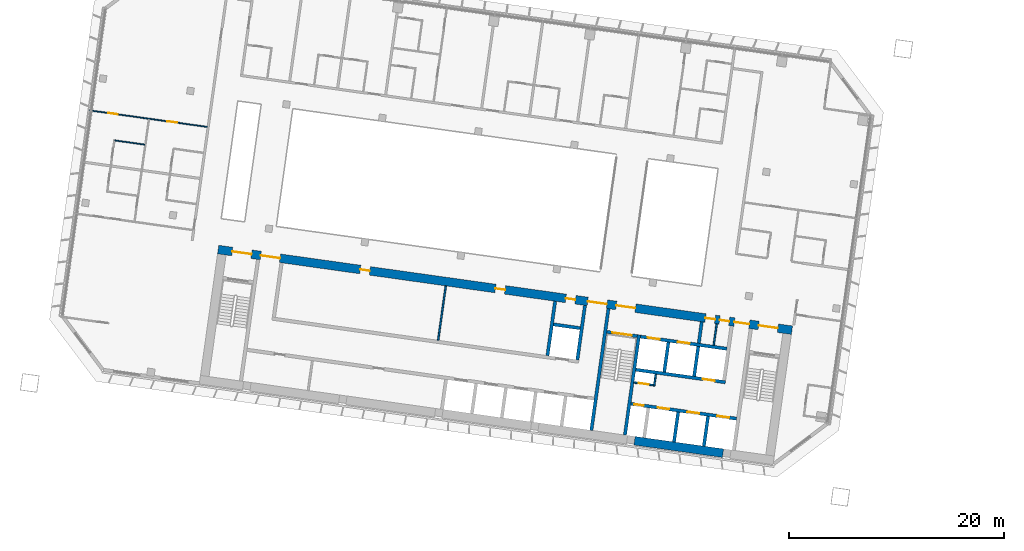
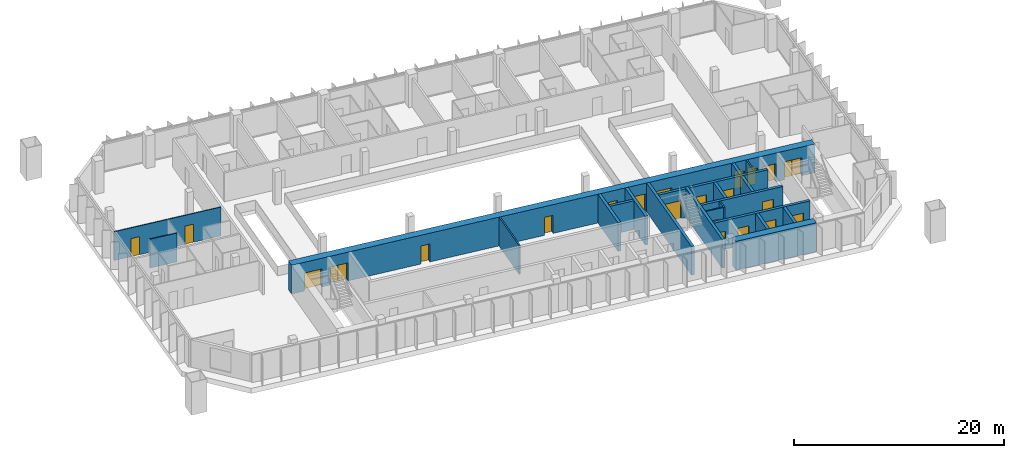
# One storey, part 15 of 25: 22 doors, 22 walls, 22 openings.
"""IFC4 building model written with IfcOpenShell, lengths in metres."""

from ifc_helpers import new_model, si_unit, direction, frame, frame_2d, origin, place, context, subcontext, project, spatial, rectangle, extrude, material, layer, layer_set, type_object, element, fill, save


model = new_model("IFC4")

# Units and contexts
model_context = context("Model", 3, precision=1e-05, world=origin(), true_north=direction((0.0, 1.0)))
body_context = subcontext(model_context, "Body", "Model", "MODEL_VIEW")
ifc_project = project(units=[si_unit("LENGTHUNIT", "METRE"), si_unit("AREAUNIT", "SQUARE_METRE"), si_unit("VOLUMEUNIT", "CUBIC_METRE"), si_unit("PLANEANGLEUNIT", "RADIAN"), si_unit("MASSUNIT", "GRAM", prefix="KILO")], contexts=[model_context])

# Site, building, storey
site_placement = place(None, origin())
site = spatial("IfcSite", under=ifc_project, at=site_placement, CompositionType="ELEMENT")
building_placement = place(site_placement, origin())
building = spatial("IfcBuilding", under=site, at=building_placement, Name="Mirante Cascada Hotel Towers", CompositionType="ELEMENT")
storey_placement = place(building_placement, frame((0.0, 0.0, 102.5)))
storey = spatial("IfcBuildingStorey", under=building, at=storey_placement, Name="L22", CompositionType="ELEMENT", Elevation=102.5)

# Wall
ifc_material_1 = material(Name="Masonry block", Category="masonry")
ifc_layer_1 = layer(ifc_material_1, 0.15)
ifc_layer_set_1 = layer_set([ifc_layer_1], Name="Core room partition 150 block EI 30")
wall_type_1 = type_object("IfcWallType", Name="Core room partition 150 block EI 30", PredefinedType="PARTITIONING", material=ifc_layer_set_1)
wall_1_placement = place(storey_placement, frame((-48.2295, -12.793, 0.0), z_axis=(0.0, 0.0, 1.0), x_axis=(0.1391935, 0.9902652, 0.0)))
element("IfcWall", 1, at=wall_1_placement, inside=storey, type_object=wall_type_1, Name="Core wall partition T1 L22 2", PredefinedType="PARTITIONING", context=body_context, shape_type="SweptSolid", body=[
    extrude(rectangle(XDim=1.1251, YDim=0.15, at=frame_2d((0.5626, 0.0))), origin(), (0.0, 0.0, 1.0), 3.35),
])

# Wall, opening, door
wall_2_placement = place(storey_placement, frame((-48.2933, -12.7083, 0.0), z_axis=(0.0, 0.0, 1.0), x_axis=(-0.990268, 0.1391734, 0.0)))
wall_2 = element("IfcWall", 2, at=wall_2_placement, inside=storey, type_object=wall_type_1, Name="Core wall partition T1 L22 3", PredefinedType="PARTITIONING", context=body_context, shape_type="SweptSolid", body=[
    extrude(rectangle(XDim=1.8251, YDim=0.15, at=frame_2d((0.9126, 0.0))), origin(), (0.0, 0.0, 1.0), 3.35),
])
opening_1_placement = place(wall_2_placement, frame((0.4625, 0.0, 0.0)))
opening_1 = element("IfcOpeningElement", 3, at=opening_1_placement, cuts=wall_2, Name="Opening D1-22-C23", PredefinedType="OPENING", context=body_context, shape_type="SweptSolid", body=[
    extrude(rectangle(XDim=0.9, YDim=2.1, at=frame_2d((0.45, 1.05))), frame((0.0, 0.075, 0.0), z_axis=(0.0, -1.0, 0.0), x_axis=(1.0, 0.0, 0.0)), (0.0, 0.0, 1.0), 0.15),
])
ifc_material_2 = material(Name="Hollow metal fire door leaf")
door_type_1 = type_object("IfcDoorType", Name="Fire door 900x2100 FD60", OperationType="NOTDEFINED", PredefinedType="DOOR", material=ifc_material_2)
door_1_placement = place(opening_1_placement, origin())
door_1 = element("IfcDoor", 4, at=door_1_placement, inside=storey, type_object=door_type_1, Name="Riser door T1 L22 23", OperationType="SINGLE_SWING_LEFT", OverallHeight=2.1, OverallWidth=0.9, PredefinedType="DOOR", context=body_context, shape_type="SweptSolid", body=[
    extrude(rectangle(XDim=0.9, YDim=2.1, at=frame_2d((0.45, 1.05))), frame((0.0, 0.025, 0.0), z_axis=(0.0, -1.0, 0.0), x_axis=(1.0, 0.0, 0.0)), (0.0, 0.0, 1.0), 0.05),
])
fill(opening_1, door_1)

# Walls
wall_3_placement = place(storey_placement, frame((-42.6979, -9.0009, 0.0), z_axis=(0.0, 0.0, 1.0), x_axis=(0.1391529, 0.9902709, 0.0)))
element("IfcWall", 5, at=wall_3_placement, inside=storey, type_object=wall_type_1, Name="Core wall partition T1 L22 4", PredefinedType="PARTITIONING", context=body_context, shape_type="SweptSolid", body=[
    extrude(rectangle(XDim=2.0, YDim=0.15, at=frame_2d((1.0, 0.0))), origin(), (0.0, 0.0, 1.0), 3.35),
])
wall_4_placement = place(storey_placement, frame((-68.2822, -8.5358, 0.0), z_axis=(0.0, 0.0, 1.0), x_axis=(0.1391755, 0.9902677, 0.0)))
element("IfcWall", 6, at=wall_4_placement, inside=storey, type_object=wall_type_1, Name="Core wall partition T1 L22 6", PredefinedType="PARTITIONING", context=body_context, shape_type="SweptSolid", body=[
    extrude(rectangle(XDim=5.1, YDim=0.15, at=frame_2d((2.55, 0.0))), origin(), (0.0, 0.0, 1.0), 3.35),
])
ifc_material_3 = material(Name="Masonry block", Category="masonry")
ifc_layer_2 = layer(ifc_material_3, 0.3)
ifc_layer_set_2 = layer_set([ifc_layer_2], Name="Core wall 300 block EI 120")
wall_type_2 = type_object("IfcWallType", Name="Core wall 300 block EI 120", PredefinedType="PARTITIONING", material=ifc_layer_set_2)
wall_5_placement = place(storey_placement, frame((-44.0843, -8.8061, 0.0), z_axis=(0.0, 0.0, 1.0), x_axis=(0.1391951, 0.990265, 0.0)))
element("IfcWall", 7, at=wall_5_placement, inside=storey, type_object=wall_type_2, Name="Core wall partition T1 L22 1", PredefinedType="PARTITIONING", context=body_context, shape_type="SweptSolid", body=[
    extrude(rectangle(XDim=2.0001, YDim=0.3, at=frame_2d((1.0001, 0.0))), origin(), (0.0, 0.0, 1.0), 3.35),
])
ifc_material_4 = material(Name="Plasterboard on metal studs")
ifc_layer_3 = layer(ifc_material_4, 0.1)
ifc_layer_set_3 = layer_set([ifc_layer_3], Name="Partition 100")
wall_type_3 = type_object("IfcWallType", Name="Partition 100", PredefinedType="PARTITIONING", material=ifc_layer_set_3)
wall_6_placement = place(storey_placement, frame((-95.5188, 9.6317, 0.0), z_axis=(0.0, 0.0, 1.0), x_axis=(-0.9902726, 0.139141, 0.0)))
element("IfcWall", 8, at=wall_6_placement, inside=storey, type_object=wall_type_3, Name="Wall 1-L22-15", PredefinedType="PARTITIONING", context=body_context, shape_type="SweptSolid", body=[
    extrude(rectangle(XDim=2.8, YDim=0.1, at=frame_2d((1.4, 0.0))), origin(), (0.0, 0.0, 1.0), 3.35),
])

# Wall, openings, doors
wall_7_placement = place(storey_placement, frame((-89.7337, 11.2758, 0.0), z_axis=(0.0, 0.0, 1.0), x_axis=(-0.990268, 0.1391733, 0.0)))
wall_7 = element("IfcWall", 9, at=wall_7_placement, inside=storey, type_object=wall_type_3, Name="Wall 1-L22-17", PredefinedType="PARTITIONING", context=body_context, shape_type="SweptSolid", body=[
    extrude(rectangle(XDim=11.0, YDim=0.1, at=frame_2d((5.5, 0.0))), origin(), (0.0, 0.0, 1.0), 3.35),
])
opening_2_placement = place(wall_7_placement, frame((2.825, 0.0, 0.0)))
opening_2 = element("IfcOpeningElement", 10, at=opening_2_placement, cuts=wall_7, Name="Opening D1-L22-07", PredefinedType="OPENING", context=body_context, shape_type="SweptSolid", body=[
    extrude(rectangle(XDim=0.9, YDim=2.1, at=frame_2d((0.45, 1.05))), frame((0.0, 0.05, 0.0), z_axis=(0.0, -1.0, 0.0), x_axis=(1.0, 0.0, 0.0)), (0.0, 0.0, 1.0), 0.1),
])
opening_3_placement = place(wall_7_placement, frame((8.375, 0.0, 0.0)))
opening_3 = element("IfcOpeningElement", 11, at=opening_3_placement, cuts=wall_7, Name="Opening D1-L22-08", PredefinedType="OPENING", context=body_context, shape_type="SweptSolid", body=[
    extrude(rectangle(XDim=0.9, YDim=2.1, at=frame_2d((0.45, 1.05))), frame((0.0, 0.05, 0.0), z_axis=(0.0, -1.0, 0.0), x_axis=(1.0, 0.0, 0.0)), (0.0, 0.0, 1.0), 0.1),
])
ifc_material_5 = material(Name="Timber door leaf", Category="wood")
door_type_2 = type_object("IfcDoorType", Name="Room door DG3 900x2100", OperationType="SINGLE_SWING_LEFT", PredefinedType="DOOR", material=ifc_material_5)
door_2_placement = place(opening_2_placement, frame((0.9, 0.0, 0.0), z_axis=(0.0, 0.0, 1.0), x_axis=(-1.0, 0.0, 0.0)))
door_2 = element("IfcDoor", 12, at=door_2_placement, inside=storey, type_object=door_type_2, Name="Door D1-L22-07", OperationType="SINGLE_SWING_RIGHT", OverallHeight=2.1, OverallWidth=0.9, PredefinedType="DOOR", context=body_context, shape_type="SweptSolid", body=[
    extrude(rectangle(XDim=0.9, YDim=2.1, at=frame_2d((0.45, 1.05))), frame((0.0, 0.025, 0.0), z_axis=(0.0, -1.0, 0.0), x_axis=(1.0, 0.0, 0.0)), (0.0, 0.0, 1.0), 0.05),
])
fill(opening_2, door_2)
door_3_placement = place(opening_3_placement, frame((0.9, 0.0, 0.0), z_axis=(0.0, 0.0, 1.0), x_axis=(-1.0, 0.0, 0.0)))
door_3 = element("IfcDoor", 13, at=door_3_placement, inside=storey, type_object=door_type_2, Name="Door D1-L22-08", OperationType="SINGLE_SWING_RIGHT", OverallHeight=2.1, OverallWidth=0.9, PredefinedType="DOOR", context=body_context, shape_type="SweptSolid", body=[
    extrude(rectangle(XDim=0.9, YDim=2.1, at=frame_2d((0.45, 1.05))), frame((0.0, 0.025, 0.0), z_axis=(0.0, -1.0, 0.0), x_axis=(1.0, 0.0, 0.0)), (0.0, 0.0, 1.0), 0.05),
])
fill(opening_3, door_3)

# Walls
ifc_material_6 = material(Name="Concrete C50/60", Category="concrete")
ifc_layer_4 = layer(ifc_material_6, 0.3)
ifc_layer_set_4 = layer_set([ifc_layer_4], Name="RC core wall 300 C50/60")
wall_type_4 = type_object("IfcWallType", Name="RC core wall 300 C50/60", PredefinedType="SHEAR", material=ifc_layer_set_4)
wall_8_placement = place(storey_placement, frame((-50.938, -17.3352, 0.0), z_axis=(0.0, 0.0, 1.0), x_axis=(0.1391706, 0.9902684, 0.0)))
element("IfcWall", 14, at=wall_8_placement, inside=storey, type_object=wall_type_4, Name="Core wall T1:L22:6", PredefinedType="SHEAR", context=body_context, shape_type="SweptSolid", body=[
    extrude(rectangle(XDim=9.4, YDim=0.3, at=frame_2d((4.7, 0.0))), origin(), (0.0, 0.0, 1.0), 3.35),
])
wall_9_placement = place(storey_placement, frame((-54.0574, -16.8968, 0.0), z_axis=(0.0, 0.0, 1.0), x_axis=(0.1391761, 0.9902677, 0.0)))
element("IfcWall", 15, at=wall_9_placement, inside=storey, type_object=wall_type_4, Name="Core wall T1:L22:7", PredefinedType="SHEAR", context=body_context, shape_type="SweptSolid", body=[
    extrude(rectangle(XDim=11.3999, YDim=0.3, at=frame_2d((5.7, 0.0))), origin(), (0.0, 0.0, 1.0), 3.35),
])

# Wall, opening, door
wall_10_placement = place(storey_placement, frame((-49.7992, -8.1544, 0.0), z_axis=(0.0, 0.0, 1.0), x_axis=(-0.9902656, 0.1391909, 0.0)))
wall_10 = element("IfcWall", 16, at=wall_10_placement, inside=storey, type_object=wall_type_4, Name="Core wall T1:L22:10", PredefinedType="SHEAR", context=body_context, shape_type="SweptSolid", body=[
    extrude(rectangle(XDim=2.85, YDim=0.3, at=frame_2d((1.425, 0.0))), origin(), (0.0, 0.0, 1.0), 3.35),
])
opening_4_placement = place(wall_10_placement, frame((0.525, 0.0, 0.0)))
opening_4 = element("IfcOpeningElement", 17, at=opening_4_placement, cuts=wall_10, Name="Opening D1-22-C15", PredefinedType="OPENING", context=body_context, shape_type="SweptSolid", body=[
    extrude(rectangle(XDim=1.8, YDim=2.1, at=frame_2d((0.9, 1.05))), frame((0.0, 0.15, 0.0), z_axis=(0.0, -1.0, 0.0), x_axis=(1.0, 0.0, 0.0)), (0.0, 0.0, 1.0), 0.3),
])
ifc_material_7 = material(Name="Hollow metal fire door leaf")
door_type_3 = type_object("IfcDoorType", Name="Double fire door 1800x2100 FD60", OperationType="DOUBLE_DOOR_SINGLE_SWING", PredefinedType="DOOR", material=ifc_material_7)
door_4_placement = place(opening_4_placement, origin())
door_4 = element("IfcDoor", 18, at=door_4_placement, inside=storey, type_object=door_type_3, Name="Stair door T1 L22 15", OperationType="DOUBLE_DOOR_SINGLE_SWING", OverallHeight=2.1, OverallWidth=1.8, PredefinedType="DOOR", context=body_context, shape_type="SweptSolid", body=[
    extrude(rectangle(XDim=0.895, YDim=2.1, at=frame_2d((0.4475, 1.05))), frame((0.0, 0.025, 0.0), z_axis=(0.0, -1.0, 0.0), x_axis=(1.0, 0.0, 0.0)), (0.0, 0.0, 1.0), 0.05),
    extrude(rectangle(XDim=0.895, YDim=2.1, at=frame_2d((1.3525, 1.05))), frame((0.0, 0.025, 0.0), z_axis=(0.0, -1.0, 0.0), x_axis=(1.0, 0.0, 0.0)), (0.0, 0.0, 1.0), 0.05),
])
fill(opening_4, door_4)

# Wall, openings, doors
wall_11_placement = place(storey_placement, frame((-40.5753, -15.8126, 0.0), z_axis=(0.0, 0.0, 1.0), x_axis=(-0.9902682, 0.1391725, 0.0)))
wall_11 = element("IfcWall", 19, at=wall_11_placement, inside=storey, type_object=wall_type_4, Name="Core wall T1:L22:12", PredefinedType="SHEAR", context=body_context, shape_type="SweptSolid", body=[
    extrude(rectangle(XDim=9.8999, YDim=0.3, at=frame_2d((4.95, 0.0))), origin(), (0.0, 0.0, 1.0), 3.35),
])
opening_5_placement = place(wall_11_placement, frame((0.7, 0.0, 0.0)))
opening_5 = element("IfcOpeningElement", 20, at=opening_5_placement, cuts=wall_11, Name="Opening LD", PredefinedType="OPENING", context=body_context, shape_type="SweptSolid", body=[
    extrude(rectangle(XDim=1.1, YDim=2.1, at=frame_2d((0.55, 1.05))), frame((0.0, 0.15, 0.0), z_axis=(0.0, -1.0, 0.0), x_axis=(1.0, 0.0, 0.0)), (0.0, 0.0, 1.0), 0.3),
])
opening_6_placement = place(wall_11_placement, frame((3.5, 0.0, 0.0)))
opening_6 = element("IfcOpeningElement", 21, at=opening_6_placement, cuts=wall_11, Name="Opening LD", PredefinedType="OPENING", context=body_context, shape_type="SweptSolid", body=[
    extrude(rectangle(XDim=1.1, YDim=2.1, at=frame_2d((0.55, 1.05))), frame((0.0, 0.15, 0.0), z_axis=(0.0, -1.0, 0.0), x_axis=(1.0, 0.0, 0.0)), (0.0, 0.0, 1.0), 0.3),
])
opening_7_placement = place(wall_11_placement, frame((6.3, 0.0, 0.0)))
opening_7 = element("IfcOpeningElement", 22, at=opening_7_placement, cuts=wall_11, Name="Opening LD", PredefinedType="OPENING", context=body_context, shape_type="SweptSolid", body=[
    extrude(rectangle(XDim=1.1, YDim=2.1, at=frame_2d((0.55, 1.05))), frame((0.0, 0.15, 0.0), z_axis=(0.0, -1.0, 0.0), x_axis=(1.0, 0.0, 0.0)), (0.0, 0.0, 1.0), 0.3),
])
opening_8_placement = place(wall_11_placement, frame((8.7, 0.0, 0.0)))
opening_8 = element("IfcOpeningElement", 23, at=opening_8_placement, cuts=wall_11, Name="Opening D1-22-C22", PredefinedType="OPENING", context=body_context, shape_type="SweptSolid", body=[
    extrude(rectangle(XDim=0.9, YDim=2.1, at=frame_2d((0.45, 1.05))), frame((0.0, 0.15, 0.0), z_axis=(0.0, -1.0, 0.0), x_axis=(1.0, 0.0, 0.0)), (0.0, 0.0, 1.0), 0.3),
])
door_5_placement = place(opening_8_placement, origin())
door_5 = element("IfcDoor", 24, at=door_5_placement, inside=storey, type_object=door_type_1, Name="Riser door T1 L22 22", OperationType="SINGLE_SWING_LEFT", OverallHeight=2.1, OverallWidth=0.9, PredefinedType="DOOR", context=body_context, shape_type="SweptSolid", body=[
    extrude(rectangle(XDim=0.9, YDim=2.1, at=frame_2d((0.45, 1.05))), frame((0.0, 0.025, 0.0), z_axis=(0.0, -1.0, 0.0), x_axis=(1.0, 0.0, 0.0)), (0.0, 0.0, 1.0), 0.05),
])
fill(opening_8, door_5)
ifc_material_8 = material(Name="Stainless steel", Category="steel")
door_type_4 = type_object("IfcDoorType", Name="Lift landing door 1100x2100 EI 120", OperationType="DOUBLE_DOOR_SLIDING", PredefinedType="DOOR", material=ifc_material_8)
door_6_placement = place(opening_5_placement, origin())
door_6 = element("IfcDoor", 25, at=door_6_placement, inside=storey, type_object=door_type_4, Name="Lift landing door HR1-1 L22", OperationType="DOUBLE_DOOR_SLIDING", OverallHeight=2.1, OverallWidth=1.1, PredefinedType="DOOR", context=body_context, shape_type="SweptSolid", body=[
    extrude(rectangle(XDim=0.545, YDim=2.1, at=frame_2d((0.2725, 1.05))), frame((0.0, 0.025, 0.0), z_axis=(0.0, -1.0, 0.0), x_axis=(1.0, 0.0, 0.0)), (0.0, 0.0, 1.0), 0.05),
    extrude(rectangle(XDim=0.545, YDim=2.1, at=frame_2d((0.8275, 1.05))), frame((0.0, 0.025, 0.0), z_axis=(0.0, -1.0, 0.0), x_axis=(1.0, 0.0, 0.0)), (0.0, 0.0, 1.0), 0.05),
])
fill(opening_5, door_6)
door_7_placement = place(opening_6_placement, origin())
door_7 = element("IfcDoor", 26, at=door_7_placement, inside=storey, type_object=door_type_4, Name="Lift landing door HR1-2 L22", OperationType="DOUBLE_DOOR_SLIDING", OverallHeight=2.1, OverallWidth=1.1, PredefinedType="DOOR", context=body_context, shape_type="SweptSolid", body=[
    extrude(rectangle(XDim=0.545, YDim=2.1, at=frame_2d((0.2725, 1.05))), frame((0.0, 0.025, 0.0), z_axis=(0.0, -1.0, 0.0), x_axis=(1.0, 0.0, 0.0)), (0.0, 0.0, 1.0), 0.05),
    extrude(rectangle(XDim=0.545, YDim=2.1, at=frame_2d((0.8275, 1.05))), frame((0.0, 0.025, 0.0), z_axis=(0.0, -1.0, 0.0), x_axis=(1.0, 0.0, 0.0)), (0.0, 0.0, 1.0), 0.05),
])
fill(opening_6, door_7)
door_8_placement = place(opening_7_placement, origin())
door_8 = element("IfcDoor", 27, at=door_8_placement, inside=storey, type_object=door_type_4, Name="Lift landing door HR1-3 L22", OperationType="DOUBLE_DOOR_SLIDING", OverallHeight=2.1, OverallWidth=1.1, PredefinedType="DOOR", context=body_context, shape_type="SweptSolid", body=[
    extrude(rectangle(XDim=0.545, YDim=2.1, at=frame_2d((0.2725, 1.05))), frame((0.0, 0.025, 0.0), z_axis=(0.0, -1.0, 0.0), x_axis=(1.0, 0.0, 0.0)), (0.0, 0.0, 1.0), 0.05),
    extrude(rectangle(XDim=0.545, YDim=2.1, at=frame_2d((0.8275, 1.05))), frame((0.0, 0.025, 0.0), z_axis=(0.0, -1.0, 0.0), x_axis=(1.0, 0.0, 0.0)), (0.0, 0.0, 1.0), 0.05),
])
fill(opening_7, door_8)

# Wall, opening, door
wall_12_placement = place(storey_placement, frame((-41.6153, -12.435, 0.0), z_axis=(0.0, 0.0, 1.0), x_axis=(-0.9902691, 0.139166, 0.0)))
wall_12 = element("IfcWall", 28, at=wall_12_placement, inside=storey, type_object=wall_type_4, Name="Core wall T1:L22:13", PredefinedType="SHEAR", context=body_context, shape_type="SweptSolid", body=[
    extrude(rectangle(XDim=8.4, YDim=0.3, at=frame_2d((4.2, 0.0))), origin(), (0.0, 0.0, 1.0), 3.35),
])
opening_9_placement = place(wall_12_placement, frame((1.0, 0.0, 0.0)))
opening_9 = element("IfcOpeningElement", 29, at=opening_9_placement, cuts=wall_12, Name="Opening LD", PredefinedType="OPENING", context=body_context, shape_type="SweptSolid", body=[
    extrude(rectangle(XDim=1.1, YDim=2.1, at=frame_2d((0.55, 1.05))), frame((0.0, 0.15, 0.0), z_axis=(0.0, -1.0, 0.0), x_axis=(1.0, 0.0, 0.0)), (0.0, 0.0, 1.0), 0.3),
])
door_9_placement = place(opening_9_placement, origin())
door_9 = element("IfcDoor", 30, at=door_9_placement, inside=storey, type_object=door_type_4, Name="Lift landing door HR1-4 L22", OperationType="DOUBLE_DOOR_SLIDING", OverallHeight=2.1, OverallWidth=1.1, PredefinedType="DOOR", context=body_context, shape_type="SweptSolid", body=[
    extrude(rectangle(XDim=0.545, YDim=2.1, at=frame_2d((0.2725, 1.05))), frame((0.0, 0.025, 0.0), z_axis=(0.0, -1.0, 0.0), x_axis=(1.0, 0.0, 0.0)), (0.0, 0.0, 1.0), 0.05),
    extrude(rectangle(XDim=0.545, YDim=2.1, at=frame_2d((0.8275, 1.05))), frame((0.0, 0.025, 0.0), z_axis=(0.0, -1.0, 0.0), x_axis=(1.0, 0.0, 0.0)), (0.0, 0.0, 1.0), 0.05),
])
fill(opening_9, door_9)

# Wall, openings, doors
wall_13_placement = place(storey_placement, frame((-41.481, -9.3234, 0.0), z_axis=(0.0, 0.0, 1.0), x_axis=(-0.9902679, 0.1391741, 0.0)))
wall_13 = element("IfcWall", 31, at=wall_13_placement, inside=storey, type_object=wall_type_4, Name="Core wall T1:L22:14", PredefinedType="SHEAR", context=body_context, shape_type="SweptSolid", body=[
    extrude(rectangle(XDim=8.0999, YDim=0.3, at=frame_2d((4.05, 0.0))), origin(), (0.0, 0.0, 1.0), 3.35),
])
opening_10_placement = place(wall_13_placement, frame((3.5, 0.0, 0.0)))
opening_10 = element("IfcOpeningElement", 32, at=opening_10_placement, cuts=wall_13, Name="Opening LD", PredefinedType="OPENING", context=body_context, shape_type="SweptSolid", body=[
    extrude(rectangle(XDim=1.1, YDim=2.1, at=frame_2d((0.55, 1.05))), frame((0.0, 0.15, 0.0), z_axis=(0.0, -1.0, 0.0), x_axis=(1.0, 0.0, 0.0)), (0.0, 0.0, 1.0), 0.3),
])
opening_11_placement = place(wall_13_placement, frame((6.3, 0.0, 0.0)))
opening_11 = element("IfcOpeningElement", 33, at=opening_11_placement, cuts=wall_13, Name="Opening LD", PredefinedType="OPENING", context=body_context, shape_type="SweptSolid", body=[
    extrude(rectangle(XDim=1.1, YDim=2.1, at=frame_2d((0.55, 1.05))), frame((0.0, 0.15, 0.0), z_axis=(0.0, -1.0, 0.0), x_axis=(1.0, 0.0, 0.0)), (0.0, 0.0, 1.0), 0.3),
])
door_10_placement = place(opening_10_placement, origin())
door_10 = element("IfcDoor", 34, at=door_10_placement, inside=storey, type_object=door_type_4, Name="Lift landing door FF1 L22", OperationType="DOUBLE_DOOR_SLIDING", OverallHeight=2.1, OverallWidth=1.1, PredefinedType="DOOR", context=body_context, shape_type="SweptSolid", body=[
    extrude(rectangle(XDim=0.545, YDim=2.1, at=frame_2d((0.2725, 1.05))), frame((0.0, 0.025, 0.0), z_axis=(0.0, -1.0, 0.0), x_axis=(1.0, 0.0, 0.0)), (0.0, 0.0, 1.0), 0.05),
    extrude(rectangle(XDim=0.545, YDim=2.1, at=frame_2d((0.8275, 1.05))), frame((0.0, 0.025, 0.0), z_axis=(0.0, -1.0, 0.0), x_axis=(1.0, 0.0, 0.0)), (0.0, 0.0, 1.0), 0.05),
])
fill(opening_10, door_10)
door_11_placement = place(opening_11_placement, origin())
door_11 = element("IfcDoor", 35, at=door_11_placement, inside=storey, type_object=door_type_4, Name="Lift landing door FF2 L22", OperationType="DOUBLE_DOOR_SLIDING", OverallHeight=2.1, OverallWidth=1.1, PredefinedType="DOOR", context=body_context, shape_type="SweptSolid", body=[
    extrude(rectangle(XDim=0.545, YDim=2.1, at=frame_2d((0.2725, 1.05))), frame((0.0, 0.025, 0.0), z_axis=(0.0, -1.0, 0.0), x_axis=(1.0, 0.0, 0.0)), (0.0, 0.0, 1.0), 0.05),
    extrude(rectangle(XDim=0.545, YDim=2.1, at=frame_2d((0.8275, 1.05))), frame((0.0, 0.025, 0.0), z_axis=(0.0, -1.0, 0.0), x_axis=(1.0, 0.0, 0.0)), (0.0, 0.0, 1.0), 0.05),
])
fill(opening_11, door_11)

# Walls
wall_14_placement = place(storey_placement, frame((-43.61, -18.3651, 0.0), z_axis=(0.0, 0.0, 1.0), x_axis=(0.1391459, 0.9902719, 0.0)))
element("IfcWall", 36, at=wall_14_placement, inside=storey, type_object=wall_type_4, Name="Core wall T1:L22:15", PredefinedType="SHEAR", context=body_context, shape_type="SweptSolid", body=[
    extrude(rectangle(XDim=2.7999, YDim=0.3, at=frame_2d((1.4, 0.0))), origin(), (0.0, 0.0, 1.0), 3.35),
])
for number, where, z_axis, x_axis, name in (
    (37, (-46.3828, -17.9754, 0.0), (0.0, 0.0, 1.0), (0.139181, 0.990267, 0.0), "Core wall T1:L22:16"),
    (38, (-44.5157, -11.8759, 0.0), (0.0, 0.0, 1.0), (0.139181, 0.990267, 0.0), "Core wall T1:L22:18"),
    (39, (-47.2885, -11.4862, 0.0), (0.0, 0.0, 1.0), (0.139181, 0.990267, 0.0), "Core wall T1:L22:19"),
):
    element("IfcWall", number, at=place(storey_placement, frame(where, z_axis=z_axis, x_axis=x_axis)), inside=storey, type_object=wall_type_4, Name=name, PredefinedType="SHEAR", context=body_context, shape_type="SweptSolid", body=[
        extrude(rectangle(XDim=2.8, YDim=0.3, at=frame_2d((1.4, 0.0))), origin(), (0.0, 0.0, 1.0), 3.35),
    ])
for number, where, z_axis, x_axis, name in (
    (40, (-55.3592, -10.352, 0.0), (0.0, 0.0, 1.0), (0.1391755, 0.9902677, 0.0), "Core wall T1:L22:33"),
    (41, (-58.1319, -9.9623, 0.0), (0.0, 0.0, 1.0), (0.1391755, 0.9902677, 0.0), "Core wall T1:L22:35"),
):
    element("IfcWall", number, at=place(storey_placement, frame(where, z_axis=z_axis, x_axis=x_axis)), inside=storey, type_object=wall_type_4, Name=name, PredefinedType="SHEAR", context=body_context, shape_type="SweptSolid", body=[
        extrude(rectangle(XDim=5.1, YDim=0.3, at=frame_2d((2.55, 0.0))), origin(), (0.0, 0.0, 1.0), 3.35),
    ])
wall_15_placement = place(storey_placement, frame((-55.0971, -7.4098, 0.0), z_axis=(0.0, 0.0, 1.0), x_axis=(-0.9902701, 0.1391586, 0.0)))
element("IfcWall", 42, at=wall_15_placement, inside=storey, type_object=wall_type_4, Name="Core wall T1:L22:36", PredefinedType="SHEAR", context=body_context, shape_type="SweptSolid", body=[
    extrude(rectangle(XDim=2.5, YDim=0.3, at=frame_2d((1.25, 0.0))), origin(), (0.0, 0.0, 1.0), 3.35),
])
ifc_material_9 = material(Name="Concrete C50/60", Category="concrete")
ifc_layer_5 = layer(ifc_material_9, 0.8)
ifc_layer_set_5 = layer_set([ifc_layer_5], Name="RC core wall 800 C50/60")
wall_type_5 = type_object("IfcWallType", Name="RC core wall 800 C50/60", PredefinedType="SHEAR", material=ifc_layer_set_5)
wall_16_placement = place(storey_placement, frame((-41.8337, -19.0187, 0.0), z_axis=(0.0, 0.0, 1.0), x_axis=(-0.9902686, 0.1391692, 0.0)))
element("IfcWall", 43, at=wall_16_placement, inside=storey, type_object=wall_type_5, Name="Core wall T1:L22:1.2", PredefinedType="SHEAR", context=body_context, shape_type="SweptSolid", body=[
    extrude(rectangle(XDim=8.3, YDim=0.8, at=frame_2d((4.15, 0.0))), origin(), (0.0, 0.0, 1.0), 3.35),
])

# Wall, openings, doors
wall_17_placement = place(storey_placement, frame((-35.432, -7.5985, 0.0), z_axis=(0.0, 0.0, 1.0), x_axis=(-0.9902681, 0.1391729, 0.0)))
wall_17 = element("IfcWall", 44, at=wall_17_placement, inside=storey, type_object=wall_type_5, Name="Core wall T1:L22:2", PredefinedType="SHEAR", context=body_context, shape_type="SweptSolid", body=[
    extrude(rectangle(XDim=53.8, YDim=0.8, at=frame_2d((26.9, 0.0))), origin(), (0.0, 0.0, 1.0), 3.35),
])
opening_12_placement = place(wall_17_placement, frame((1.325, 0.0, 0.0)))
opening_12 = element("IfcOpeningElement", 45, at=opening_12_placement, cuts=wall_17, Name="Opening D1-22-C14", PredefinedType="OPENING", context=body_context, shape_type="SweptSolid", body=[
    extrude(rectangle(XDim=1.8, YDim=2.1, at=frame_2d((0.9, 1.05))), frame((0.0, 0.4, 0.0), z_axis=(0.0, -1.0, 0.0), x_axis=(1.0, 0.0, 0.0)), (0.0, 0.0, 1.0), 0.8),
])
opening_13_placement = place(wall_17_placement, frame((14.675, 0.0, 0.0)))
opening_13 = element("IfcOpeningElement", 46, at=opening_13_placement, cuts=wall_17, Name="Opening D1-22-C16", PredefinedType="OPENING", context=body_context, shape_type="SweptSolid", body=[
    extrude(rectangle(XDim=1.8, YDim=2.1, at=frame_2d((0.9, 1.05))), frame((0.0, 0.4, 0.0), z_axis=(0.0, -1.0, 0.0), x_axis=(1.0, 0.0, 0.0)), (0.0, 0.0, 1.0), 0.8),
])
opening_14_placement = place(wall_17_placement, frame((50.675, 0.0, 0.0)))
opening_14 = element("IfcOpeningElement", 47, at=opening_14_placement, cuts=wall_17, Name="Opening D1-22-C18", PredefinedType="OPENING", context=body_context, shape_type="SweptSolid", body=[
    extrude(rectangle(XDim=1.8, YDim=2.1, at=frame_2d((0.9, 1.05))), frame((0.0, 0.4, 0.0), z_axis=(0.0, -1.0, 0.0), x_axis=(1.0, 0.0, 0.0)), (0.0, 0.0, 1.0), 0.8),
])
opening_15_placement = place(wall_17_placement, frame((4.0, 0.0, 0.0)))
opening_15 = element("IfcOpeningElement", 48, at=opening_15_placement, cuts=wall_17, Name="Opening D1-22-C19", PredefinedType="OPENING", context=body_context, shape_type="SweptSolid", body=[
    extrude(rectangle(XDim=1.4, YDim=2.1, at=frame_2d((0.7, 1.05))), frame((0.0, 0.4, 0.0), z_axis=(0.0, -1.0, 0.0), x_axis=(1.0, 0.0, 0.0)), (0.0, 0.0, 1.0), 0.8),
])
opening_16_placement = place(wall_17_placement, frame((17.35, 0.0, 0.0)))
opening_16 = element("IfcOpeningElement", 49, at=opening_16_placement, cuts=wall_17, Name="Opening D1-22-C20", PredefinedType="OPENING", context=body_context, shape_type="SweptSolid", body=[
    extrude(rectangle(XDim=1.8, YDim=2.1, at=frame_2d((0.9, 1.05))), frame((0.0, 0.4, 0.0), z_axis=(0.0, -1.0, 0.0), x_axis=(1.0, 0.0, 0.0)), (0.0, 0.0, 1.0), 0.8),
])
opening_17_placement = place(wall_17_placement, frame((48.0, 0.0, 0.0)))
opening_17 = element("IfcOpeningElement", 50, at=opening_17_placement, cuts=wall_17, Name="Opening D1-22-C21", PredefinedType="OPENING", context=body_context, shape_type="SweptSolid", body=[
    extrude(rectangle(XDim=1.8, YDim=2.1, at=frame_2d((0.9, 1.05))), frame((0.0, 0.4, 0.0), z_axis=(0.0, -1.0, 0.0), x_axis=(1.0, 0.0, 0.0)), (0.0, 0.0, 1.0), 0.8),
])
opening_18_placement = place(wall_17_placement, frame((5.8875, 0.0, 0.0)))
opening_18 = element("IfcOpeningElement", 51, at=opening_18_placement, cuts=wall_17, Name="Opening D1-22-C24", PredefinedType="OPENING", context=body_context, shape_type="SweptSolid", body=[
    extrude(rectangle(XDim=0.9, YDim=2.1, at=frame_2d((0.45, 1.05))), frame((0.0, 0.4, 0.0), z_axis=(0.0, -1.0, 0.0), x_axis=(1.0, 0.0, 0.0)), (0.0, 0.0, 1.0), 0.8),
])
opening_19_placement = place(wall_17_placement, frame((7.2125, 0.0, 0.0)))
opening_19 = element("IfcOpeningElement", 52, at=opening_19_placement, cuts=wall_17, Name="Opening D1-22-C25", PredefinedType="OPENING", context=body_context, shape_type="SweptSolid", body=[
    extrude(rectangle(XDim=0.9, YDim=2.1, at=frame_2d((0.45, 1.05))), frame((0.0, 0.4, 0.0), z_axis=(0.0, -1.0, 0.0), x_axis=(1.0, 0.0, 0.0)), (0.0, 0.0, 1.0), 0.8),
])
opening_20_placement = place(wall_17_placement, frame((20.3, 0.0, 0.0)))
opening_20 = element("IfcOpeningElement", 53, at=opening_20_placement, cuts=wall_17, Name="Opening D1-22-C28", PredefinedType="OPENING", context=body_context, shape_type="SweptSolid", body=[
    extrude(rectangle(XDim=0.9, YDim=2.1, at=frame_2d((0.45, 1.05))), frame((0.0, 0.4, 0.0), z_axis=(0.0, -1.0, 0.0), x_axis=(1.0, 0.0, 0.0)), (0.0, 0.0, 1.0), 0.8),
])
opening_21_placement = place(wall_17_placement, frame((26.9, 0.0, 0.0)))
opening_21 = element("IfcOpeningElement", 54, at=opening_21_placement, cuts=wall_17, Name="Opening D1-22-C29", PredefinedType="OPENING", context=body_context, shape_type="SweptSolid", body=[
    extrude(rectangle(XDim=0.9, YDim=2.1, at=frame_2d((0.45, 1.05))), frame((0.0, 0.4, 0.0), z_axis=(0.0, -1.0, 0.0), x_axis=(1.0, 0.0, 0.0)), (0.0, 0.0, 1.0), 0.8),
])
opening_22_placement = place(wall_17_placement, frame((39.575, 0.0, 0.0)))
opening_22 = element("IfcOpeningElement", 55, at=opening_22_placement, cuts=wall_17, Name="Opening D1-22-C30", PredefinedType="OPENING", context=body_context, shape_type="SweptSolid", body=[
    extrude(rectangle(XDim=0.9, YDim=2.1, at=frame_2d((0.45, 1.05))), frame((0.0, 0.4, 0.0), z_axis=(0.0, -1.0, 0.0), x_axis=(1.0, 0.0, 0.0)), (0.0, 0.0, 1.0), 0.8),
])
ifc_material_10 = material(Name="Hollow metal fire door leaf")
door_type_5 = type_object("IfcDoorType", Name="Double fire door 1400x2100 FD60", OperationType="DOUBLE_DOOR_SINGLE_SWING", PredefinedType="DOOR", material=ifc_material_10)
door_12_placement = place(opening_15_placement, frame((1.4, 0.0, 0.0), z_axis=(0.0, 0.0, 1.0), x_axis=(-1.0, 0.0, 0.0)))
door_12 = element("IfcDoor", 56, at=door_12_placement, inside=storey, type_object=door_type_5, Name="Exit door to gallery T1 L22 19", OperationType="DOUBLE_DOOR_SINGLE_SWING", OverallHeight=2.1, OverallWidth=1.4, PredefinedType="DOOR", context=body_context, shape_type="SweptSolid", body=[
    extrude(rectangle(XDim=0.695, YDim=2.1, at=frame_2d((0.3475, 1.05))), frame((0.0, 0.025, 0.0), z_axis=(0.0, -1.0, 0.0), x_axis=(1.0, 0.0, 0.0)), (0.0, 0.0, 1.0), 0.05),
    extrude(rectangle(XDim=0.695, YDim=2.1, at=frame_2d((1.0525, 1.05))), frame((0.0, 0.025, 0.0), z_axis=(0.0, -1.0, 0.0), x_axis=(1.0, 0.0, 0.0)), (0.0, 0.0, 1.0), 0.05),
])
fill(opening_15, door_12)
door_13_placement = place(opening_12_placement, origin())
door_13 = element("IfcDoor", 57, at=door_13_placement, inside=storey, type_object=door_type_3, Name="Exit door to gallery T1 L22 14", OperationType="DOUBLE_DOOR_SINGLE_SWING", OverallHeight=2.1, OverallWidth=1.8, PredefinedType="DOOR", context=body_context, shape_type="SweptSolid", body=[
    extrude(rectangle(XDim=0.895, YDim=2.1, at=frame_2d((0.4475, 1.05))), frame((0.0, 0.025, 0.0), z_axis=(0.0, -1.0, 0.0), x_axis=(1.0, 0.0, 0.0)), (0.0, 0.0, 1.0), 0.05),
    extrude(rectangle(XDim=0.895, YDim=2.1, at=frame_2d((1.3525, 1.05))), frame((0.0, 0.025, 0.0), z_axis=(0.0, -1.0, 0.0), x_axis=(1.0, 0.0, 0.0)), (0.0, 0.0, 1.0), 0.05),
])
fill(opening_12, door_13)
door_14_placement = place(opening_13_placement, origin())
door_14 = element("IfcDoor", 58, at=door_14_placement, inside=storey, type_object=door_type_3, Name="Exit door to gallery T1 L22 16", OperationType="DOUBLE_DOOR_SINGLE_SWING", OverallHeight=2.1, OverallWidth=1.8, PredefinedType="DOOR", context=body_context, shape_type="SweptSolid", body=[
    extrude(rectangle(XDim=0.895, YDim=2.1, at=frame_2d((0.4475, 1.05))), frame((0.0, 0.025, 0.0), z_axis=(0.0, -1.0, 0.0), x_axis=(1.0, 0.0, 0.0)), (0.0, 0.0, 1.0), 0.05),
    extrude(rectangle(XDim=0.895, YDim=2.1, at=frame_2d((1.3525, 1.05))), frame((0.0, 0.025, 0.0), z_axis=(0.0, -1.0, 0.0), x_axis=(1.0, 0.0, 0.0)), (0.0, 0.0, 1.0), 0.05),
])
fill(opening_13, door_14)
door_15_placement = place(opening_14_placement, origin())
door_15 = element("IfcDoor", 59, at=door_15_placement, inside=storey, type_object=door_type_3, Name="Exit door to gallery T1 L22 18", OperationType="DOUBLE_DOOR_SINGLE_SWING", OverallHeight=2.1, OverallWidth=1.8, PredefinedType="DOOR", context=body_context, shape_type="SweptSolid", body=[
    extrude(rectangle(XDim=0.895, YDim=2.1, at=frame_2d((0.4475, 1.05))), frame((0.0, 0.025, 0.0), z_axis=(0.0, -1.0, 0.0), x_axis=(1.0, 0.0, 0.0)), (0.0, 0.0, 1.0), 0.05),
    extrude(rectangle(XDim=0.895, YDim=2.1, at=frame_2d((1.3525, 1.05))), frame((0.0, 0.025, 0.0), z_axis=(0.0, -1.0, 0.0), x_axis=(1.0, 0.0, 0.0)), (0.0, 0.0, 1.0), 0.05),
])
fill(opening_14, door_15)
door_16_placement = place(opening_16_placement, frame((1.8, 0.0, 0.0), z_axis=(0.0, 0.0, 1.0), x_axis=(-1.0, 0.0, 0.0)))
door_16 = element("IfcDoor", 60, at=door_16_placement, inside=storey, type_object=door_type_3, Name="Exit door to gallery T1 L22 20", OperationType="DOUBLE_DOOR_SINGLE_SWING", OverallHeight=2.1, OverallWidth=1.8, PredefinedType="DOOR", context=body_context, shape_type="SweptSolid", body=[
    extrude(rectangle(XDim=0.895, YDim=2.1, at=frame_2d((0.4475, 1.05))), frame((0.0, 0.025, 0.0), z_axis=(0.0, -1.0, 0.0), x_axis=(1.0, 0.0, 0.0)), (0.0, 0.0, 1.0), 0.05),
    extrude(rectangle(XDim=0.895, YDim=2.1, at=frame_2d((1.3525, 1.05))), frame((0.0, 0.025, 0.0), z_axis=(0.0, -1.0, 0.0), x_axis=(1.0, 0.0, 0.0)), (0.0, 0.0, 1.0), 0.05),
])
fill(opening_16, door_16)
door_17_placement = place(opening_17_placement, frame((1.8, 0.0, 0.0), z_axis=(0.0, 0.0, 1.0), x_axis=(-1.0, 0.0, 0.0)))
door_17 = element("IfcDoor", 61, at=door_17_placement, inside=storey, type_object=door_type_3, Name="Exit door to gallery T1 L22 21", OperationType="DOUBLE_DOOR_SINGLE_SWING", OverallHeight=2.1, OverallWidth=1.8, PredefinedType="DOOR", context=body_context, shape_type="SweptSolid", body=[
    extrude(rectangle(XDim=0.895, YDim=2.1, at=frame_2d((0.4475, 1.05))), frame((0.0, 0.025, 0.0), z_axis=(0.0, -1.0, 0.0), x_axis=(1.0, 0.0, 0.0)), (0.0, 0.0, 1.0), 0.05),
    extrude(rectangle(XDim=0.895, YDim=2.1, at=frame_2d((1.3525, 1.05))), frame((0.0, 0.025, 0.0), z_axis=(0.0, -1.0, 0.0), x_axis=(1.0, 0.0, 0.0)), (0.0, 0.0, 1.0), 0.05),
])
fill(opening_17, door_17)
door_18_placement = place(opening_18_placement, origin())
door_18 = element("IfcDoor", 62, at=door_18_placement, inside=storey, type_object=door_type_1, Name="Room door T1 L22 24", OperationType="SINGLE_SWING_RIGHT", OverallHeight=2.1, OverallWidth=0.9, PredefinedType="DOOR", context=body_context, shape_type="SweptSolid", body=[
    extrude(rectangle(XDim=0.9, YDim=2.1, at=frame_2d((0.45, 1.05))), frame((0.0, 0.025, 0.0), z_axis=(0.0, -1.0, 0.0), x_axis=(1.0, 0.0, 0.0)), (0.0, 0.0, 1.0), 0.05),
])
fill(opening_18, door_18)
door_19_placement = place(opening_19_placement, origin())
door_19 = element("IfcDoor", 63, at=door_19_placement, inside=storey, type_object=door_type_1, Name="Room door T1 L22 25", OperationType="SINGLE_SWING_RIGHT", OverallHeight=2.1, OverallWidth=0.9, PredefinedType="DOOR", context=body_context, shape_type="SweptSolid", body=[
    extrude(rectangle(XDim=0.9, YDim=2.1, at=frame_2d((0.45, 1.05))), frame((0.0, 0.025, 0.0), z_axis=(0.0, -1.0, 0.0), x_axis=(1.0, 0.0, 0.0)), (0.0, 0.0, 1.0), 0.05),
])
fill(opening_19, door_19)
door_20_placement = place(opening_20_placement, origin())
door_20 = element("IfcDoor", 64, at=door_20_placement, inside=storey, type_object=door_type_1, Name="Room door T1 L22 28", OperationType="SINGLE_SWING_RIGHT", OverallHeight=2.1, OverallWidth=0.9, PredefinedType="DOOR", context=body_context, shape_type="SweptSolid", body=[
    extrude(rectangle(XDim=0.9, YDim=2.1, at=frame_2d((0.45, 1.05))), frame((0.0, 0.025, 0.0), z_axis=(0.0, -1.0, 0.0), x_axis=(1.0, 0.0, 0.0)), (0.0, 0.0, 1.0), 0.05),
])
fill(opening_20, door_20)
door_21_placement = place(opening_21_placement, origin())
door_21 = element("IfcDoor", 65, at=door_21_placement, inside=storey, type_object=door_type_1, Name="Room door T1 L22 29", OperationType="SINGLE_SWING_LEFT", OverallHeight=2.1, OverallWidth=0.9, PredefinedType="DOOR", context=body_context, shape_type="SweptSolid", body=[
    extrude(rectangle(XDim=0.9, YDim=2.1, at=frame_2d((0.45, 1.05))), frame((0.0, 0.025, 0.0), z_axis=(0.0, -1.0, 0.0), x_axis=(1.0, 0.0, 0.0)), (0.0, 0.0, 1.0), 0.05),
])
fill(opening_21, door_21)
door_22_placement = place(opening_22_placement, origin())
door_22 = element("IfcDoor", 66, at=door_22_placement, inside=storey, type_object=door_type_1, Name="Room door T1 L22 30", OperationType="SINGLE_SWING_LEFT", OverallHeight=2.1, OverallWidth=0.9, PredefinedType="DOOR", context=body_context, shape_type="SweptSolid", body=[
    extrude(rectangle(XDim=0.9, YDim=2.1, at=frame_2d((0.45, 1.05))), frame((0.0, 0.025, 0.0), z_axis=(0.0, -1.0, 0.0), x_axis=(1.0, 0.0, 0.0)), (0.0, 0.0, 1.0), 0.05),
])
fill(opening_22, door_22)

save(model, "model.ifc")
